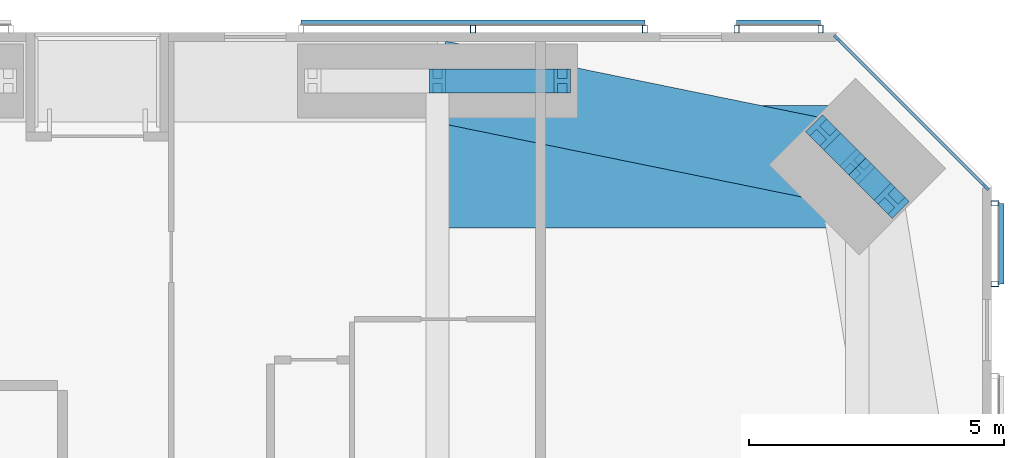
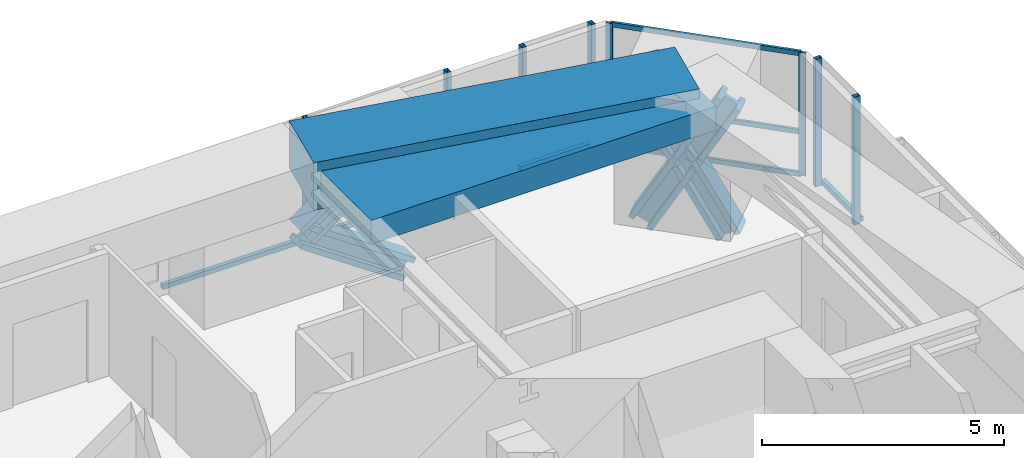
# One storey, part 14 of 23: 20 members, 2 beams, 4 elements without a shape of their own.
"""IFC4 building model written with IfcOpenShell, lengths in metres."""

from ifc_helpers import new_model, si_unit, direction, frame, origin, origin_2d, place, context, subcontext, project, spatial, rectangle, hollow_rectangle, i_section, extrude, material, material_profile, profile_set, type_object, element, aggregate, save


model = new_model("IFC4")

# Units and contexts
model_context = context("Model", 3, precision=1e-05, world=origin(), true_north=direction((0.0, 1.0)))
body_context = subcontext(model_context, "Body", "Model", "MODEL_VIEW")
ifc_project = project(units=[si_unit("LENGTHUNIT", "METRE"), si_unit("AREAUNIT", "SQUARE_METRE"), si_unit("VOLUMEUNIT", "CUBIC_METRE"), si_unit("PLANEANGLEUNIT", "RADIAN"), si_unit("MASSUNIT", "GRAM", prefix="KILO")], contexts=[model_context])

# Site, building, storey
site_placement = place(None, origin())
site = spatial("IfcSite", under=ifc_project, at=site_placement, CompositionType="ELEMENT")
building_placement = place(site_placement, origin())
building = spatial("IfcBuilding", under=site, at=building_placement, Name="Jalousie Tower", CompositionType="ELEMENT")
storey_placement = place(building_placement, frame((0.0, 0.0, 111.550048828125)))
storey = spatial("IfcBuildingStorey", under=building, at=storey_placement, Name="L30", CompositionType="ELEMENT", Elevation=111.550048828125)

# Curtain wall, members
ifc_material_1 = material(Name="Aluminium curtain wall", Category="aluminium")
curtain_wall_type_1 = type_object("IfcCurtainWallType", Name="CORNER WINDOW WALL", PredefinedType="USERDEFINED", material=ifc_material_1)
curtain_wall_1_placement = place(storey_placement, origin())
curtain_wall_1 = element("IfcCurtainWall", 1, at=curtain_wall_1_placement, inside=storey, type_object=curtain_wall_type_1, Name="Corner Window Wall L30 4", ObjectType="CORNER WINDOW WALL", PredefinedType="USERDEFINED")
ifc_material_2 = material(Name="Aluminium mullion", Category="aluminium")
ifc_material_profile_1 = material_profile(ifc_material_2, rectangle(XDim=0.06005859375, YDim=0.14990234375, at=origin_2d()), Name="MULLION 60x150")
ifc_profile_set_1 = profile_set([ifc_material_profile_1], Name="Aluminium mullion")
member_type_1 = type_object("IfcMemberType", Name="CORNER WINDOW WALL MULLION", PredefinedType="MULLION", material=ifc_profile_set_1)
member_1_placement = place(storey_placement, frame((49.391357421875, 34.969970703125, 0.0), z_axis=(0.0, 0.0, 1.0), x_axis=(-0.707106781187, -0.707106781187, 0.0)))
member_1 = element("IfcMember", 2, at=member_1_placement, type_object=member_type_1, Name="CW-C mullion 1", PredefinedType="MULLION", context=body_context, shape_type="SweptSolid", body=[
    extrude(rectangle(XDim=0.06005859375, YDim=0.14990234375, at=origin_2d()), origin(), (0.0, 0.0, 1.0), 3.10986328125),
])
member_2_placement = place(storey_placement, frame((46.469970703125, 37.891357421875, 0.0), z_axis=(0.0, 0.0, 1.0), x_axis=(-0.707106781187, -0.707106781187, 0.0)))
member_2 = element("IfcMember", 3, at=member_2_placement, type_object=member_type_1, Name="CW-C mullion 2", PredefinedType="MULLION", context=body_context, shape_type="SweptSolid", body=[
    extrude(rectangle(XDim=0.06005859375, YDim=0.14990234375, at=origin_2d()), origin(), (0.0, 0.0, 1.0), 3.10986328125),
])
ifc_material_3 = material(Name="Aluminium transom", Category="aluminium")
ifc_material_profile_2 = material_profile(ifc_material_3, rectangle(XDim=0.06005859375, YDim=0.1201171875, at=origin_2d()), Name="TRANSOM 60x120")
ifc_profile_set_2 = profile_set([ifc_material_profile_2], Name="Aluminium transom")
member_type_2 = type_object("IfcMemberType", Name="CORNER WINDOW WALL TRANSOM", PredefinedType="USERDEFINED", material=ifc_profile_set_2)
member_3_placement = place(storey_placement, frame((49.3701171875, 34.9912109375, 0.030029296875), z_axis=(-0.707106781187, 0.707106781187, 0.0), x_axis=(-0.707106781187, -0.707106781187, 0.0)))
member_3 = element("IfcMember", 4, at=member_3_placement, type_object=member_type_2, Name="CW-C transom 1.1", ObjectType="TRANSOM", PredefinedType="USERDEFINED", context=body_context, shape_type="SweptSolid", body=[
    extrude(rectangle(XDim=0.06005859375, YDim=0.1201171875, at=origin_2d()), origin(), (0.0, 0.0, 1.0), 4.0712890625),
])
member_4_placement = place(storey_placement, frame((49.3701171875, 34.9912109375, 1.099853515625), z_axis=(-0.707106781187, 0.707106781187, 0.0), x_axis=(-0.707106781187, -0.707106781187, 0.0)))
member_4 = element("IfcMember", 5, at=member_4_placement, type_object=member_type_2, Name="CW-C transom 1.2", ObjectType="TRANSOM", PredefinedType="USERDEFINED", context=body_context, shape_type="SweptSolid", body=[
    extrude(rectangle(XDim=0.06005859375, YDim=0.1201171875, at=origin_2d()), origin(), (0.0, 0.0, 1.0), 4.0712890625),
])
member_5_placement = place(storey_placement, frame((49.3701171875, 34.9912109375, 3.079833984375), z_axis=(-0.707106781187, 0.707106781187, 0.0), x_axis=(-0.707106781187, -0.707106781187, 0.0)))
member_5 = element("IfcMember", 6, at=member_5_placement, type_object=member_type_2, Name="CW-C transom 1.3", ObjectType="TRANSOM", PredefinedType="USERDEFINED", context=body_context, shape_type="SweptSolid", body=[
    extrude(rectangle(XDim=0.06005859375, YDim=0.1201171875, at=origin_2d()), origin(), (0.0, 0.0, 1.0), 4.0712890625),
])
aggregate(curtain_wall_1, [member_1, member_2, member_3, member_4, member_5])

# Members
ifc_material_4 = material(Name="Steel ASTM A992 Grade 50", Category="steel")
ifc_material_profile_3 = material_profile(ifc_material_4, i_section(OverallWidth=0.472412109375, OverallDepth=0.5791015625, WebThickness=0.094970703125, FlangeThickness=0.1298828125, at=origin_2d()), Name="W14X808")
ifc_profile_set_3 = profile_set([ifc_material_profile_3], Name="Steel ASTM A992 Grade 50")
member_type_3 = type_object("IfcMemberType", Name="PERIMETER BRACE W14X808", PredefinedType="BRACE", material=ifc_profile_set_3)
for number, where, z_axis, x_axis, name in (
    (7, (47.540283203125, 34.697021484375, -0.60009765625), (-0.348789058631, 0.348789058631, 0.869880672943), (-0.707106781187, -0.707106781187, 0.0), "Perimeter brace 08 L30 part 1"),
    (8, (46.86865234375, 35.36865234375, 1.074951171875), (-0.348789058631, 0.348789058631, 0.869880672943), (-0.707106781187, -0.707106781187, 0.0), "Perimeter brace 08 L30 part 2"),
    (9, (46.197021484375, 36.040283203125, -0.60009765625), (0.348789058631, -0.348789058631, 0.869880672943), (0.707106781187, 0.707106781187, 0.0), "Perimeter brace 08 L30 part 3"),
    (10, (46.86865234375, 35.36865234375, 1.074951171875), (0.348789058631, -0.348789058631, 0.869880672943), (0.707106781187, 0.707106781187, 0.0), "Perimeter brace 08 L30 part 4"),
):
    element("IfcMember", number, at=place(storey_placement, frame(where, z_axis=z_axis, x_axis=x_axis)), inside=storey, type_object=member_type_3, Name=name, PredefinedType="BRACE", context=body_context, shape_type="SweptSolid", body=[
        extrude(i_section(OverallWidth=0.472412109375, OverallDepth=0.5791015625, WebThickness=0.094970703125, FlangeThickness=0.1298828125, at=origin_2d()), origin(), (0.0, 0.0, 1.0), 1.925537109375),
    ])
for number, where, z_axis, x_axis, name in (
    (11, (38.625, 37.050048828125, 1.074951171875), (0.825500916831, 0.0, 0.564400776321), (0.0, 1.0, 0.0), "Perimeter brace 09 L30 part 2"),
    (12, (41.074951171875, 37.050048828125, -0.60009765625), (-0.825500916831, 0.0, 0.564400776321), (0.0, -1.0, 0.0), "Perimeter brace 09 L30 part 3"),
):
    element("IfcMember", number, at=place(storey_placement, frame(where, z_axis=z_axis, x_axis=x_axis)), inside=storey, type_object=member_type_3, Name=name, PredefinedType="BRACE", context=body_context, shape_type="SweptSolid", body=[
        extrude(i_section(OverallWidth=0.472412109375, OverallDepth=0.5791015625, WebThickness=0.094970703125, FlangeThickness=0.1298828125, at=origin_2d()), origin(), (0.0, 0.0, 1.0), 2.9677734375),
    ])

# Beams
ifc_material_5 = material(Name="Concrete f'c 40 MPa", Category="concrete")
ifc_material_profile_4 = material_profile(ifc_material_5, rectangle(XDim=1.60009765625, YDim=1.199951171875, at=origin_2d()), Name="RC 1600x1200")
ifc_profile_set_4 = profile_set([ifc_material_profile_4], Name="Concrete f'c 40 MPa")
beam_type_1 = type_object("IfcBeamType", Name="RC BEAM 1600x1200", PredefinedType="BEAM", material=ifc_profile_set_4)
beam_1_placement = place(storey_placement, frame((46.86865234375, 35.36865234375, 2.75), z_axis=(-0.97982690954, 0.199848010602, 0.0), x_axis=(-0.199848010602, -0.97982690954, 0.0)))
element("IfcBeam", 13, at=beam_1_placement, inside=storey, type_object=beam_type_1, Name="Edge band beam 08-09 under L31", PredefinedType="BEAM", context=body_context, shape_type="SweptSolid", body=[
    extrude(rectangle(XDim=1.60009765625, YDim=1.199951171875, at=origin_2d()), origin(), (0.0, 0.0, 1.0), 8.413330078125),
])
ifc_material_6 = material(Name="Concrete f'c 40 MPa", Category="concrete")
ifc_material_profile_5 = material_profile(ifc_material_6, rectangle(XDim=2.39990234375, YDim=0.60009765625, at=origin_2d()), Name="RC 2400x600")
ifc_profile_set_5 = profile_set([ifc_material_profile_5], Name="Concrete f'c 40 MPa")
beam_type_2 = type_object("IfcBeamType", Name="RC BEAM 2400x600", PredefinedType="BEAM", material=ifc_profile_set_5)
beam_2_placement = place(storey_placement, frame((46.86865234375, 35.36865234375, 2.81005859375), z_axis=(-1.0, 0.0, 0.0), x_axis=(0.0, -1.0, 0.0)))
element("IfcBeam", 14, at=beam_2_placement, inside=storey, type_object=beam_type_2, Name="Floor band beam under L31", PredefinedType="BEAM", context=body_context, shape_type="SweptSolid", body=[
    extrude(rectangle(XDim=2.39990234375, YDim=0.60009765625, at=origin_2d()), origin(), (0.0, 0.0, 1.0), 8.24365234375),
])

# Curtain wall, members
ifc_material_7 = material(Name="Perforated aluminium sheet", Category="aluminium")
curtain_wall_type_2 = type_object("IfcCurtainWallType", Name="SOLAR SCREEN SS-1", PredefinedType="USERDEFINED", material=ifc_material_7)
curtain_wall_2_placement = place(storey_placement, origin())
curtain_wall_2 = element("IfcCurtainWall", 15, at=curtain_wall_2_placement, inside=storey, type_object=curtain_wall_type_2, Name="Solar screen L30", ObjectType="SOLAR SCREEN SS-1", PredefinedType="USERDEFINED")
ifc_material_8 = material(Name="Steel ASTM A500 Grade C", Category="steel")
ifc_material_profile_6 = material_profile(ifc_material_8, hollow_rectangle(XDim=0.1015625, YDim=0.15234375, WallThickness=0.00634765625, at=origin_2d()), Name="HSS6X4X1/4")
ifc_profile_set_6 = profile_set([ifc_material_profile_6], Name="Steel ASTM A500 Grade C")
member_type_4 = type_object("IfcMemberType", Name="SOLAR SCREEN SS-1 MULLION", PredefinedType="MULLION", material=ifc_profile_set_6)
member_6_placement = place(storey_placement, frame((49.5712890625, 33.06201171875, -0.1201171875), z_axis=(0.0, 0.0, 1.0), x_axis=(0.0, 1.0, 0.0)))
member_6 = element("IfcMember", 16, at=member_6_placement, type_object=member_type_4, Name="SS1 post 1", PredefinedType="MULLION", context=body_context, shape_type="SweptSolid", body=[
    extrude(hollow_rectangle(XDim=0.1015625, YDim=0.15234375, WallThickness=0.00634765625, at=origin_2d()), origin(), (0.0, 0.0, 1.0), 3.22998046875),
])
member_7_placement = place(storey_placement, frame((49.5712890625, 34.648681640625, -0.1201171875), z_axis=(0.0, 0.0, 1.0), x_axis=(0.0, 1.0, 0.0)))
member_7 = element("IfcMember", 17, at=member_7_placement, type_object=member_type_4, Name="SS1 post 2", PredefinedType="MULLION", context=body_context, shape_type="SweptSolid", body=[
    extrude(hollow_rectangle(XDim=0.1015625, YDim=0.15234375, WallThickness=0.00634765625, at=origin_2d()), origin(), (0.0, 0.0, 1.0), 3.22998046875),
])

curtain_wall_3_placement = place(storey_placement, origin())
curtain_wall_3 = element("IfcCurtainWall", 18, at=curtain_wall_3_placement, inside=storey, type_object=curtain_wall_type_2, Name="Solar screen L30", ObjectType="SOLAR SCREEN SS-1", PredefinedType="USERDEFINED")
member_8_placement = place(storey_placement, frame((46.148681640625, 38.0712890625, -0.1201171875), z_axis=(0.0, 0.0, 1.0), x_axis=(-1.0, 0.0, 0.0)))
member_8 = element("IfcMember", 19, at=member_8_placement, type_object=member_type_4, Name="SS1 post 1", PredefinedType="MULLION", context=body_context, shape_type="SweptSolid", body=[
    extrude(hollow_rectangle(XDim=0.1015625, YDim=0.15234375, WallThickness=0.00634765625, at=origin_2d()), origin(), (0.0, 0.0, 1.0), 3.22998046875),
])
member_9_placement = place(storey_placement, frame((44.499267578125, 38.0712890625, -0.1201171875), z_axis=(0.0, 0.0, 1.0), x_axis=(-1.0, 0.0, 0.0)))
member_9 = element("IfcMember", 20, at=member_9_placement, type_object=member_type_4, Name="SS1 post 2", PredefinedType="MULLION", context=body_context, shape_type="SweptSolid", body=[
    extrude(hollow_rectangle(XDim=0.1015625, YDim=0.15234375, WallThickness=0.00634765625, at=origin_2d()), origin(), (0.0, 0.0, 1.0), 3.22998046875),
])

curtain_wall_4_placement = place(storey_placement, origin())
curtain_wall_4 = element("IfcCurtainWall", 21, at=curtain_wall_4_placement, inside=storey, type_object=curtain_wall_type_2, Name="Solar screen L30", ObjectType="SOLAR SCREEN SS-1", PredefinedType="USERDEFINED")
member_10_placement = place(storey_placement, frame((42.69921875, 38.0712890625, -0.1201171875), z_axis=(0.0, 0.0, 1.0), x_axis=(-1.0, 0.0, 0.0)))
member_10 = element("IfcMember", 22, at=member_10_placement, type_object=member_type_4, Name="SS1 post 1", PredefinedType="MULLION", context=body_context, shape_type="SweptSolid", body=[
    extrude(hollow_rectangle(XDim=0.1015625, YDim=0.15234375, WallThickness=0.00634765625, at=origin_2d()), origin(), (0.0, 0.0, 1.0), 3.22998046875),
])
member_11_placement = place(storey_placement, frame((39.324951171875, 38.0712890625, -0.1201171875), z_axis=(0.0, 0.0, 1.0), x_axis=(-1.0, 0.0, 0.0)))
member_11 = element("IfcMember", 23, at=member_11_placement, type_object=member_type_4, Name="SS1 post 2", PredefinedType="MULLION", context=body_context, shape_type="SweptSolid", body=[
    extrude(hollow_rectangle(XDim=0.1015625, YDim=0.15234375, WallThickness=0.00634765625, at=origin_2d()), origin(), (0.0, 0.0, 1.0), 3.22998046875),
])

# Member
ifc_material_9 = material(Name="Extruded aluminium screen rail", Category="aluminium")
ifc_material_profile_7 = material_profile(ifc_material_9, rectangle(XDim=0.1015625, YDim=0.1201171875, at=origin_2d()), Name="RAIL 102x120")
ifc_profile_set_7 = profile_set([ifc_material_profile_7], Name="Extruded aluminium screen rail")
member_type_5 = type_object("IfcMemberType", Name="SOLAR SCREEN SS-1 TRANSOM", PredefinedType="USERDEFINED", material=ifc_profile_set_7)
member_12_placement = place(storey_placement, frame((49.6982421875, 33.06201171875, -0.06005859375), z_axis=(0.0, 1.0, 0.0), x_axis=(-1.0, 0.0, 0.0)))
member_12 = element("IfcMember", 24, at=member_12_placement, type_object=member_type_5, Name="SS1 rail", ObjectType="TRANSOM", PredefinedType="USERDEFINED", context=body_context, shape_type="SweptSolid", body=[
    extrude(rectangle(XDim=0.1015625, YDim=0.1201171875, at=origin_2d()), origin(), (0.0, 0.0, 1.0), 1.586669921875),
])

aggregate(curtain_wall_2, [member_6, member_7, member_12])

member_13_placement = place(storey_placement, frame((46.148681640625, 38.1982421875, -0.06005859375), z_axis=(-1.0, 0.0, 0.0), x_axis=(0.0, -1.0, 0.0)))
member_13 = element("IfcMember", 25, at=member_13_placement, type_object=member_type_5, Name="SS1 rail", ObjectType="TRANSOM", PredefinedType="USERDEFINED", context=body_context, shape_type="SweptSolid", body=[
    extrude(rectangle(XDim=0.1015625, YDim=0.1201171875, at=origin_2d()), origin(), (0.0, 0.0, 1.0), 1.6494140625),
])

aggregate(curtain_wall_3, [member_8, member_9, member_13])

member_14_placement = place(storey_placement, frame((42.69921875, 38.1982421875, -0.06005859375), z_axis=(-1.0, 0.0, 0.0), x_axis=(0.0, -1.0, 0.0)))
member_14 = element("IfcMember", 26, at=member_14_placement, type_object=member_type_5, Name="SS1 rail", ObjectType="TRANSOM", PredefinedType="USERDEFINED", context=body_context, shape_type="SweptSolid", body=[
    extrude(rectangle(XDim=0.1015625, YDim=0.1201171875, at=origin_2d()), origin(), (0.0, 0.0, 1.0), 6.748779296875),
])

aggregate(curtain_wall_4, [member_10, member_11, member_14])

save(model, "model.ifc")
